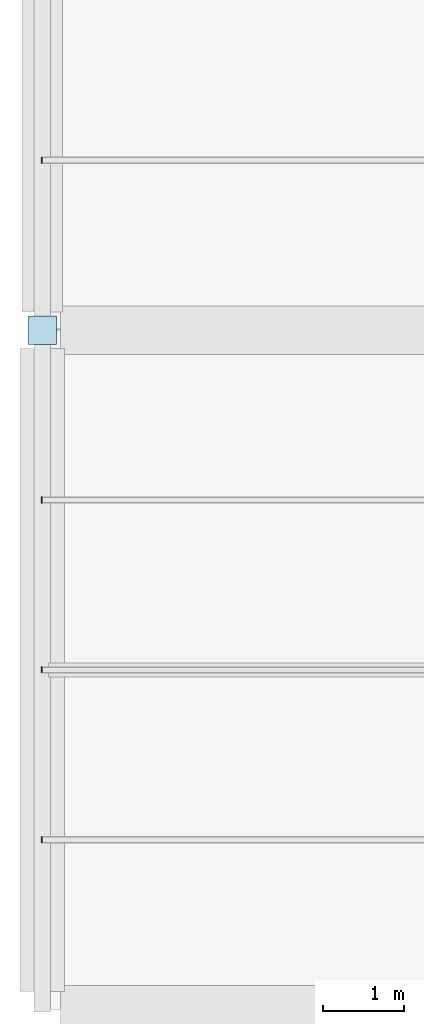
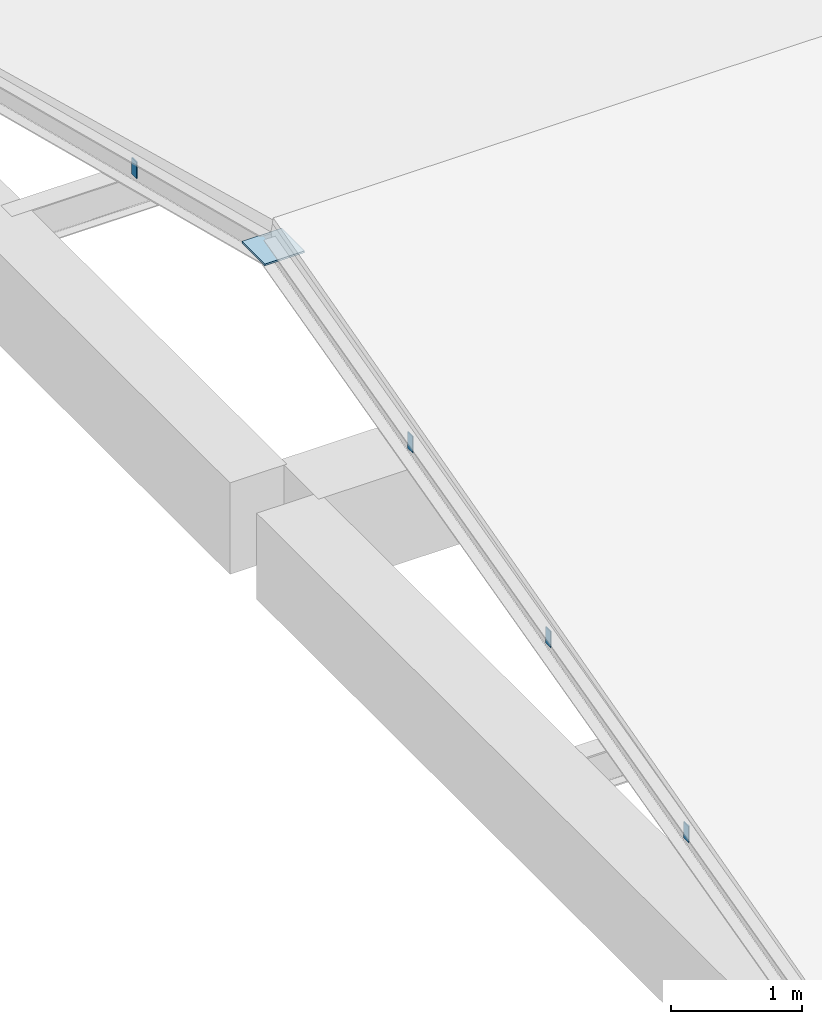
# One storey, part 6 of 17: 5 plates.
"""IFC4 building model written with IfcOpenShell, lengths in metres."""

import ifcopenshell
import ifcopenshell.guid

model = None  # the IFC model being written
_history = None  # IfcOwnerHistory: only IFC2X3 demands one
_inside = {}  # id of a spatial element -> (the spatial element, [elements in it])
_under = {}  # id of a project, library or spatial element -> (it, [spatial elements below it])
_declared = {}  # id of a project -> (the project, [libraries it declares])
_typed = {}  # id of a type object -> (the type object, [elements of that type])
_made_of = {}  # id of a material, layer set ... -> (it, [elements and type objects made of it])


def new_model(schema):
    """Start an empty IFC model of exactly this schema.

    Asked for "IFC4X3", IfcOpenShell would pick the latest addendum, in which some entities
    have other attributes; the version numbers below select the first issue.
    IFC2X3 requires an IfcOwnerHistory on every rooted entity: one is made here for all.
    """
    global model, _history
    if schema == "IFC4X3":
        model = ifcopenshell.file(schema_version=(4, 3, 0, 0))
    else:
        model = ifcopenshell.file(schema=schema)
    _inside.clear()
    _under.clear()
    _declared.clear()
    _typed.clear()
    _made_of.clear()
    _history = None
    if model.schema == "IFC2X3":
        org = make("IfcOrganization", Name="unknown")
        user = make(
            "IfcPersonAndOrganization",
            ThePerson=make("IfcPerson", FamilyName="unknown"),
            TheOrganization=org,
        )
        app = make(
            "IfcApplication",
            ApplicationDeveloper=org,
            Version="unknown",
            ApplicationFullName="unknown",
            ApplicationIdentifier="unknown",
        )
        _history = make(
            "IfcOwnerHistory",
            OwningUser=user,
            OwningApplication=app,
            ChangeAction="ADDED",
            CreationDate=0,
        )
    return model


def make(cls, **values):
    """One entity of the class cls with the attributes given. An attribute that is None is left unset."""
    return model.create_entity(
        cls, **{name: value for name, value in values.items() if value is not None}
    )


def rooted(cls, **values):
    """An entity with a GlobalId (a new one), such as an element, a storey or a relation."""
    return make(cls, GlobalId=ifcopenshell.guid.new(), OwnerHistory=_history, **values)


def si_unit(unit_type, name, prefix=None):
    """IfcSIUnit, for example si_unit("LENGTHUNIT", "METRE", prefix="MILLI")."""
    return make("IfcSIUnit", UnitType=unit_type, Prefix=prefix, Name=name)


def derived_unit(unit_type, elements):
    """IfcDerivedUnit: a product of units, each with its exponent."""
    return make(
        "IfcDerivedUnit",
        Elements=[
            make("IfcDerivedUnitElement", Unit=unit, Exponent=power)
            for unit, power in elements
        ],
        UnitType=unit_type,
    )


def assignment(units):
    """IfcUnitAssignment: the units of a project."""
    return None if units is None else make("IfcUnitAssignment", Units=units)


def point(xyz):
    """IfcCartesianPoint."""
    return None if xyz is None else make("IfcCartesianPoint", Coordinates=xyz)


def direction(xyz):
    """IfcDirection."""
    return None if xyz is None else make("IfcDirection", DirectionRatios=xyz)


def frame(location, z_axis=None, x_axis=None):
    """IfcAxis2Placement3D, a coordinate frame: its origin and axes. An axis left out is left unset."""
    return make(
        "IfcAxis2Placement3D",
        Location=point(location),
        Axis=direction(z_axis),
        RefDirection=direction(x_axis),
    )


def frame_2d(location, x_axis=None):
    """IfcAxis2Placement2D, a coordinate frame in the plane: its origin and x axis."""
    return make(
        "IfcAxis2Placement2D", Location=point(location), RefDirection=direction(x_axis)
    )


def origin():
    """The frame at (0, 0, 0) with its axes left unset."""
    return frame((0.0, 0.0, 0.0))


def origin_2d():
    """The frame at (0, 0) in the plane with its x axis left unset."""
    return frame_2d((0.0, 0.0))


def place(relative_to, where):
    """IfcLocalPlacement: puts the frame where relative to a parent placement (None: the world)."""
    return make(
        "IfcLocalPlacement", PlacementRelTo=relative_to, RelativePlacement=where
    )


def context(
    kind, dimensions, precision=None, world=None, true_north=None, identifier=None
):
    """IfcGeometricRepresentationContext, for example the 3D "Model" context."""
    return make(
        "IfcGeometricRepresentationContext",
        ContextIdentifier=identifier,
        ContextType=kind,
        CoordinateSpaceDimension=dimensions,
        Precision=precision,
        WorldCoordinateSystem=world,
        TrueNorth=true_north,
    )


def subcontext(parent, identifier, kind, view, scale=None):
    """IfcGeometricRepresentationSubContext, for example "Body" below "Model"."""
    return make(
        "IfcGeometricRepresentationSubContext",
        ContextIdentifier=identifier,
        ContextType=kind,
        ParentContext=parent,
        TargetScale=scale,
        TargetView=view,
    )


def project(units=None, contexts=None):
    """IfcProject with its units and contexts."""
    return rooted(
        "IfcProject",
        Name="project",
        RepresentationContexts=contexts,
        UnitsInContext=assignment(units),
    )


def spatial(cls, under=None, at=None, **own):
    """A site, building, storey or space (cls), placed at a placement, below another one or the project."""
    s = rooted(cls, ObjectPlacement=at, **own)
    if under is not None:
        _under.setdefault(under.id(), (under, []))[1].append(s)
    return s


def profile(cls, at=None, kind="AREA", **sizes):
    """A parametric profile (cls). Its sizes go by their IFC names, for example OverallWidth=200.0."""
    return make(cls, ProfileType=kind, Position=at, **sizes)


def rectangle(**sizes):
    """IfcRectangleProfileDef."""
    return profile("IfcRectangleProfileDef", **sizes)


def extrude(swept, where, along, depth):
    """IfcExtrudedAreaSolid: the profile swept, set in the frame where, extruded along a direction by depth."""
    return make(
        "IfcExtrudedAreaSolid",
        SweptArea=swept,
        Position=where,
        ExtrudedDirection=direction(along),
        Depth=depth,
    )


def shape(context_of_items, identifier, shape_type, items):
    """IfcShapeRepresentation: the items that make up one representation, for example the "Body"."""
    return make(
        "IfcShapeRepresentation",
        ContextOfItems=context_of_items,
        RepresentationIdentifier=identifier,
        RepresentationType=shape_type,
        Items=items,
    )


def material(Name=None, Category=None):
    """IfcMaterial."""
    return make("IfcMaterial", Name=Name, Category=Category)


def layer(
    of_material, thickness, ventilated=None, Name=None, Category=None, Priority=None
):
    """IfcMaterialLayer: one layer of a wall or slab, of a material (None: an air gap)."""
    return make(
        "IfcMaterialLayer",
        Material=of_material,
        LayerThickness=thickness,
        IsVentilated=ventilated,
        Name=Name,
        Category=Category,
        Priority=Priority,
    )


def layer_set(layers, Name=None):
    """IfcMaterialLayerSet."""
    return make("IfcMaterialLayerSet", MaterialLayers=layers, LayerSetName=Name)


def made_of(thing, what):
    """Note that an element or type object is made of a material, layer set ...; save() writes the relation."""
    if what is not None:
        _made_of.setdefault(what.id(), (what, []))[1].append(thing)
    return thing


def type_object(cls, material=None, **own):
    """A type object (cls), such as IfcWallType, which elements share."""
    return made_of(rooted(cls, **own), material)


def element(
    cls,
    number,
    at=None,
    inside=None,
    cuts=None,
    type_object=None,
    material=None,
    context=None,
    identifier="Body",
    shape_type=None,
    held_by="IfcProductDefinitionShape",
    body=None,
    shapes=None,
    **own,
):
    """One element of the class cls, such as IfcWall. Its Tag is "e" and its number.

    at: its placement. inside: the storey or other place that contains it. cuts: it is an
    opening in that element (IfcRelVoidsElement). A single representation is given by context,
    identifier, shape_type and body (its items); several are given by shapes. held_by: the class
    of the entity that holds the representations. save() writes the other relations.
    """
    e = rooted(cls, Tag="e%d" % number, ObjectPlacement=at, **own)
    if body is not None:
        shapes = [shape(context, identifier, shape_type, body)]
    if shapes is not None:
        e.Representation = make(held_by, Representations=shapes)
    if inside is not None:
        _inside.setdefault(inside.id(), (inside, []))[1].append(e)
    if cuts is not None:
        rooted(
            "IfcRelVoidsElement", RelatingBuildingElement=cuts, RelatedOpeningElement=e
        )
    if type_object is not None:
        _typed.setdefault(type_object.id(), (type_object, []))[1].append(e)
    return made_of(e, material)


def aggregate(whole, parts):
    """IfcRelAggregates: a whole, such as a stair, and the parts it consists of."""
    return rooted("IfcRelAggregates", RelatingObject=whole, RelatedObjects=parts)


def save(model, path):
    """Write the relations noted so far, then the file.

    IfcRelAggregates (storeys below a building ...), IfcRelContainedInSpatialStructure (elements
    in a storey), IfcRelDefinesByType, IfcRelAssociatesMaterial and IfcRelDeclares: one each for
    every whole, place, type object, material and project.
    """
    for whole, parts in _under.values():
        aggregate(whole, parts)
    for where, things in _inside.values():
        rooted(
            "IfcRelContainedInSpatialStructure",
            RelatedElements=things,
            RelatingStructure=where,
        )
    for kind, things in _typed.values():
        rooted("IfcRelDefinesByType", RelatedObjects=things, RelatingType=kind)
    for what, things in _made_of.values():
        rooted("IfcRelAssociatesMaterial", RelatedObjects=things, RelatingMaterial=what)
    for by, libraries in _declared.values():
        rooted("IfcRelDeclares", RelatingContext=by, RelatedDefinitions=libraries)
    model.write(path)


model = new_model("IFC4")

# Units and contexts
model_context = context("Model", 3, precision=1e-05, world=origin(), true_north=direction((0.0, 1.0)))
body_context = subcontext(model_context, "Body", "Model", "MODEL_VIEW")
ifc_project = project(units=[si_unit("LENGTHUNIT", "METRE"), si_unit("AREAUNIT", "SQUARE_METRE"), si_unit("VOLUMEUNIT", "CUBIC_METRE"), si_unit("PLANEANGLEUNIT", "RADIAN"), si_unit("MASSUNIT", "GRAM", prefix="KILO"), derived_unit("THERMALTRANSMITTANCEUNIT", [(si_unit("POWERUNIT", "WATT"), 1), (si_unit("LENGTHUNIT", "METRE"), -2), (si_unit("THERMODYNAMICTEMPERATUREUNIT", "KELVIN"), -1)])], contexts=[model_context])

# Site, building, storey
site_placement = place(None, origin())
site = spatial("IfcSite", under=ifc_project, at=site_placement, CompositionType="ELEMENT")
building_placement = place(site_placement, origin())
building = spatial("IfcBuilding", under=site, at=building_placement, Name="Barrovel Congress Hotel", CompositionType="ELEMENT")
storey_placement = place(building_placement, frame((0.0, 0.0, 47.10009765625)))
storey = spatial("IfcBuildingStorey", under=building, at=storey_placement, Name="RF", CompositionType="ELEMENT", Elevation=47.10009765625)

# Plates
ifc_material = material(Name="Steel ASTM A992 Grade 50", Category="steel")
ifc_layer_1 = layer(ifc_material, 0.010009765625)
ifc_layer_set_1 = layer_set([ifc_layer_1], Name="Steel ASTM A992 Grade 50")
plate_type_1 = type_object("IfcPlateType", Name="EC-10", PredefinedType="SHEET", material=ifc_layer_set_1)
for number, where, z_axis, x_axis, name in (
    (1, (16.794921875, 6.300048828125, 0.3115234375), (0.0, 0.0, 1.0), (-1.0, 0.0, 0.0), "End Cap Plate RF-PUR:6.3:16.8 start"),
    (2, (16.794921875, 8.39990234375, 0.84912109375), (0.0, 0.0, 1.0), (-1.0, 0.0, 0.0), "End Cap Plate RF-PUR:8.4:16.8 start"),
    (3, (16.794921875, 10.5, 1.38671875), (0.0, 0.0, 1.0), (-1.0, 0.0, 0.0), "End Cap Plate RF-PUR:10.5:16.8 start"),
    (4, (16.794921875, 14.699951171875, 1.38671875), (0.0, 0.0, 1.0), (-1.0, 0.0, 0.0), "End Cap Plate RF-PUR:14.7:16.8 start"),
):
    element("IfcPlate", number, at=place(storey_placement, frame(where, z_axis=z_axis, x_axis=x_axis)), inside=storey, type_object=plate_type_1, Name=name, PredefinedType="SHEET", context=body_context, shape_type="SweptSolid", body=[
        extrude(rectangle(XDim=0.010009765625, YDim=0.076171875, at=origin_2d()), origin(), (0.0, 0.0, 1.0), 0.15234375),
    ])
ifc_layer_2 = layer(ifc_material, 0.01611328125)
ifc_layer_set_2 = layer_set([ifc_layer_2], Name="Steel ASTM A992 Grade 50")
plate_type_2 = type_object("IfcPlateType", Name="GP-16", PredefinedType="SHEET", material=ifc_layer_set_2)
plate_placement = place(storey_placement, frame((16.800048828125, 12.60009765625, 1.99267578125), z_axis=(0.0, 0.0, 1.0), x_axis=(1.0, 0.0, 0.0)))
element("IfcPlate", 5, at=plate_placement, inside=storey, type_object=plate_type_2, Name="RF-RAF-GP:16.8", PredefinedType="SHEET", context=body_context, shape_type="SweptSolid", body=[
    extrude(rectangle(XDim=0.35009765625, YDim=0.35009765625, at=origin_2d()), origin(), (0.0, 0.0, 1.0), 0.01611328125),
])

save(model, "model.ifc")
